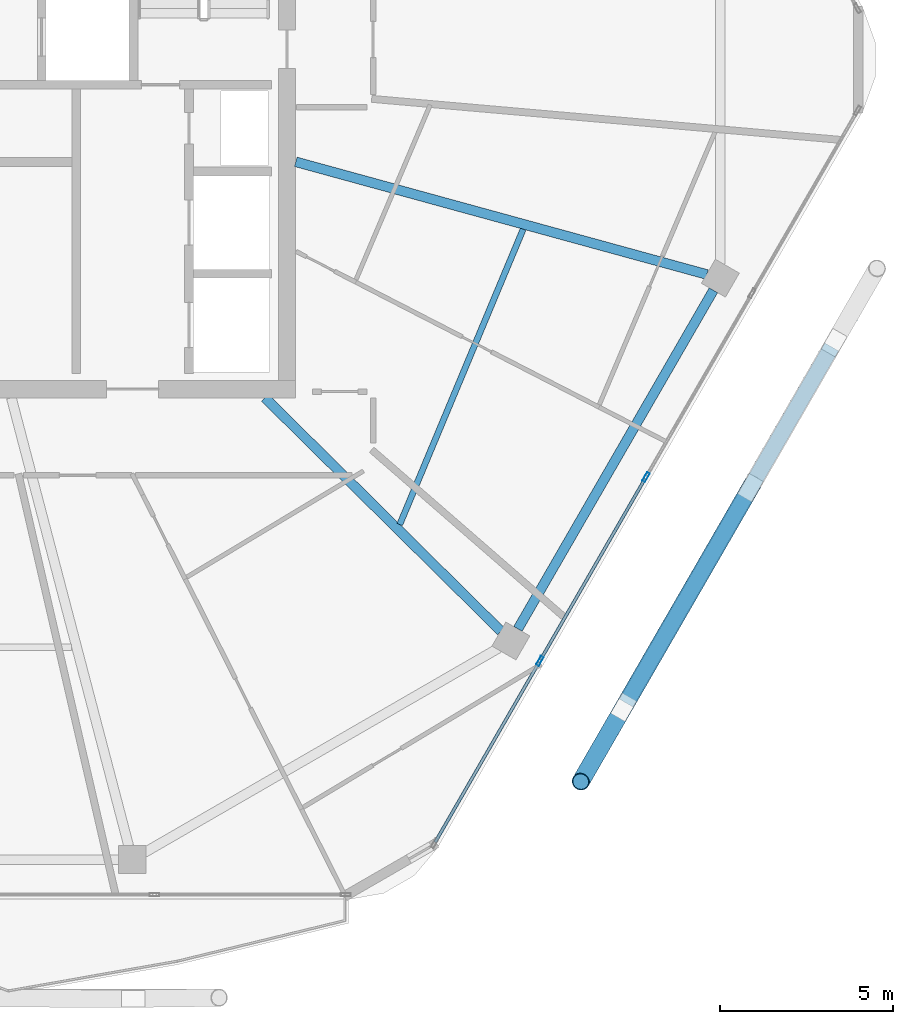
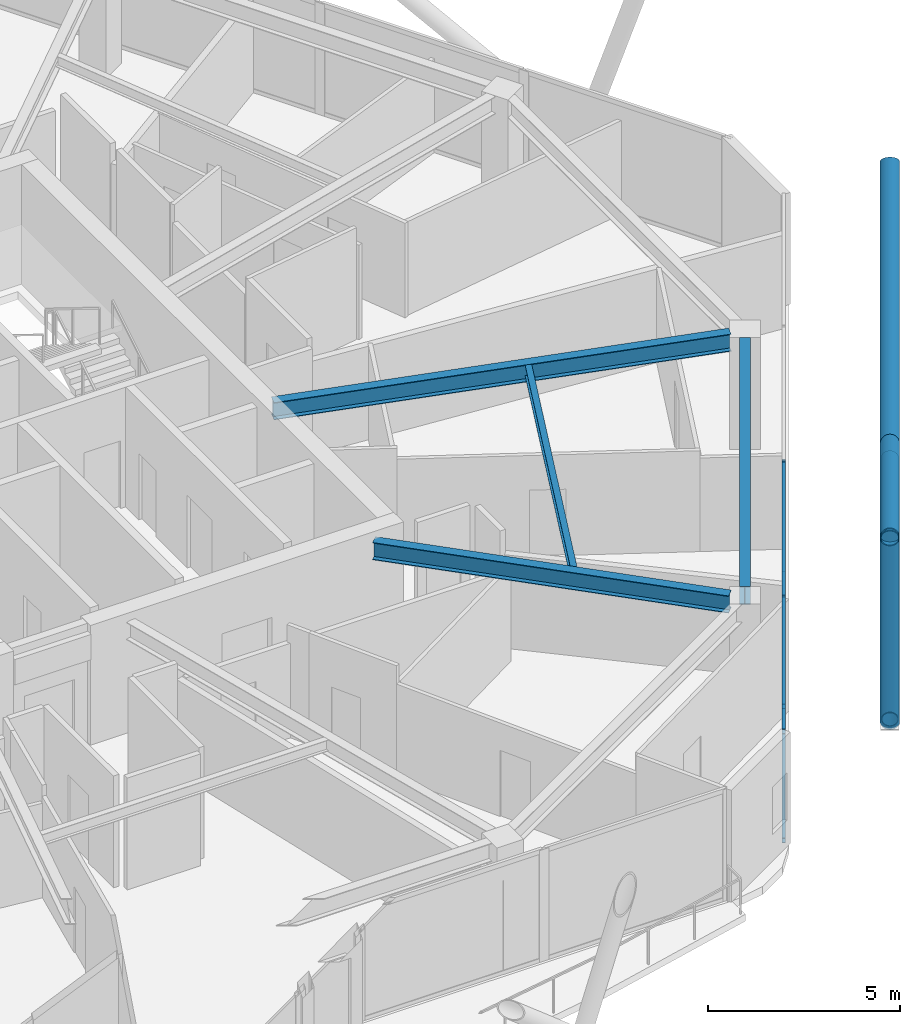
# One storey, part 8 of 23: 10 members, 4 beams, 1 element without a shape of its own.
"""IFC4 building model written with IfcOpenShell, lengths in metres."""

from ifc_helpers import new_model, si_unit, direction, frame, origin, origin_2d, place, context, subcontext, project, spatial, hollow_rectangle, hollow_circle, i_section, extrude, material, material_profile, profile_set, type_object, element, aggregate, save


model = new_model("IFC4")

# Units and contexts
model_context = context("Model", 3, precision=1e-05, world=origin(), true_north=direction((0.0, 1.0)))
body_context = subcontext(model_context, "Body", "Model", "MODEL_VIEW")
ifc_project = project(units=[si_unit("LENGTHUNIT", "METRE"), si_unit("AREAUNIT", "SQUARE_METRE"), si_unit("VOLUMEUNIT", "CUBIC_METRE"), si_unit("PLANEANGLEUNIT", "RADIAN"), si_unit("MASSUNIT", "GRAM", prefix="KILO")], contexts=[model_context])

# Site, building, storey
site_placement = place(None, origin())
site = spatial("IfcSite", under=ifc_project, at=site_placement, CompositionType="ELEMENT")
building_placement = place(site_placement, origin())
building = spatial("IfcBuilding", under=site, at=building_placement, Name="Zuhravey Tower", CompositionType="ELEMENT")
storey_placement = place(building_placement, frame((0.0, 0.0, 323.39990234375)))
storey = spatial("IfcBuildingStorey", under=building, at=storey_placement, Name="L82", CompositionType="ELEMENT", Elevation=323.39990234375)

# Curtain wall, members
ifc_material_1 = material(Name="Thermally broken anodised aluminium", Category="aluminium")
curtain_wall_type = type_object("IfcCurtainWallType", Name="Zone 3-4 High-Rise Curtain Wall CW4", PredefinedType="NOTDEFINED", material=ifc_material_1)
curtain_wall_placement = place(storey_placement, origin())
curtain_wall = element("IfcCurtainWall", 1, at=curtain_wall_placement, inside=storey, type_object=curtain_wall_type, Name="L82 CW4 CW-L82-F6-1", PredefinedType="NOTDEFINED")
ifc_material_2 = material(Name="Anodised aluminium", Category="aluminium")
ifc_material_profile_1 = material_profile(ifc_material_2, hollow_rectangle(XDim=0.090087890625, YDim=0.284912109375, WallThickness=0.0048828125, at=origin_2d()), Name="ALU-RHS-90x285x5")
ifc_profile_set_1 = profile_set([ifc_material_profile_1], Name="Anodised aluminium")
member_type_1 = type_object("IfcMemberType", Name="Curtain-Wall Mullion 90x180", PredefinedType="MULLION", material=ifc_profile_set_1)
member_1_placement = place(storey_placement, frame((56.8486328125, 19.962890625, 0.0), z_axis=(0.0, 0.0, 1.0), x_axis=(0.866025511541, -0.49999981336, 0.0)))
member_1 = element("IfcMember", 2, at=member_1_placement, type_object=member_type_1, Name="CW4 mullion 3", PredefinedType="MULLION", context=body_context, shape_type="SweptSolid", body=[
    extrude(hollow_rectangle(XDim=0.090087890625, YDim=0.284912109375, WallThickness=0.0048828125, at=origin_2d()), origin(), (0.0, 0.0, 1.0), 3.550048828125),
])
member_2_placement = place(storey_placement, frame((53.788818359375, 14.6630859375, 0.0), z_axis=(0.0, 0.0, 1.0), x_axis=(0.866025511541, -0.49999981336, 0.0)))
member_2 = element("IfcMember", 3, at=member_2_placement, type_object=member_type_1, Name="CW4 mullion 4", PredefinedType="MULLION", context=body_context, shape_type="SweptSolid", body=[
    extrude(hollow_rectangle(XDim=0.090087890625, YDim=0.284912109375, WallThickness=0.0048828125, at=origin_2d()), origin(), (0.0, 0.0, 1.0), 3.550048828125),
])
ifc_material_profile_2 = material_profile(ifc_material_2, hollow_rectangle(XDim=0.090087890625, YDim=0.14990234375, WallThickness=0.0048828125, at=origin_2d()), Name="ALU-RHS-90x150x5")
ifc_profile_set_2 = profile_set([ifc_material_profile_2], Name="Anodised aluminium")
member_type_2 = type_object("IfcMemberType", Name="Curtain-Wall Transom 90x150", PredefinedType="USERDEFINED", material=ifc_profile_set_2)
member_3_placement = place(storey_placement, frame((56.826171875, 19.924072265625, 0.045166015625), z_axis=(-0.499971305196, -0.866041970103, 0.0), x_axis=(0.866041970103, -0.499971305196, 0.0)))
member_3 = element("IfcMember", 4, at=member_3_placement, type_object=member_type_2, Name="CW4 transom 3.1", ObjectType="TRANSOM", PredefinedType="USERDEFINED", context=body_context, shape_type="SweptSolid", body=[
    extrude(hollow_rectangle(XDim=0.090087890625, YDim=0.14990234375, WallThickness=0.0048828125, at=origin_2d()), origin(), (0.0, 0.0, 1.0), 6.029541015625),
])
member_4_placement = place(storey_placement, frame((56.826171875, 19.924072265625, 3.505126953125), z_axis=(-0.499971305196, -0.866041970103, 0.0), x_axis=(0.866041970103, -0.499971305196, 0.0)))
member_4 = element("IfcMember", 5, at=member_4_placement, type_object=member_type_2, Name="CW4 transom 3.2", ObjectType="TRANSOM", PredefinedType="USERDEFINED", context=body_context, shape_type="SweptSolid", body=[
    extrude(hollow_rectangle(XDim=0.090087890625, YDim=0.14990234375, WallThickness=0.0048828125, at=origin_2d()), origin(), (0.0, 0.0, 1.0), 6.029541015625),
])
member_5_placement = place(storey_placement, frame((53.766357421875, 14.624267578125, 0.045166015625), z_axis=(-0.499982594807, -0.866035452444, 0.0), x_axis=(0.866035452444, -0.499982594807, 0.0)))
member_5 = element("IfcMember", 6, at=member_5_placement, type_object=member_type_2, Name="CW4 transom 4.1", ObjectType="TRANSOM", PredefinedType="USERDEFINED", context=body_context, shape_type="SweptSolid", body=[
    extrude(hollow_rectangle(XDim=0.090087890625, YDim=0.14990234375, WallThickness=0.0048828125, at=origin_2d()), origin(), (0.0, 0.0, 1.0), 5.984619140625),
])
member_6_placement = place(storey_placement, frame((53.766357421875, 14.624267578125, 3.505126953125), z_axis=(-0.499982594807, -0.866035452444, 0.0), x_axis=(0.866035452444, -0.499982594807, 0.0)))
member_6 = element("IfcMember", 7, at=member_6_placement, type_object=member_type_2, Name="CW4 transom 4.2", ObjectType="TRANSOM", PredefinedType="USERDEFINED", context=body_context, shape_type="SweptSolid", body=[
    extrude(hollow_rectangle(XDim=0.090087890625, YDim=0.14990234375, WallThickness=0.0048828125, at=origin_2d()), origin(), (0.0, 0.0, 1.0), 5.984619140625),
])
aggregate(curtain_wall, [member_1, member_2, member_3, member_4, member_5, member_6])

# Members
ifc_material_3 = material(Name="Steel SM355", Category="steel")
ifc_material_profile_3 = material_profile(ifc_material_3, hollow_circle(Radius=0.228515625, WallThickness=0.02197265625, at=origin_2d()), Name="CHS-457.2x22")
ifc_profile_set_3 = profile_set([ifc_material_profile_3], Name="Steel SM355")
member_type_3 = type_object("IfcMemberType", Name="Exoskeleton Ring Tie CHS457x22", PredefinedType="CHORD", material=ifc_profile_set_3)
member_7_placement = place(storey_placement, frame((56.275390625, 13.44970703125, -0.4638671875), z_axis=(0.499988670204, 0.866031944946, 0.0), x_axis=(-0.866031944946, 0.499988670204, 0.0)))
element("IfcMember", 8, at=member_7_placement, inside=storey, type_object=member_type_3, Name="L82 Exoskeleton Face 6 Tie EXR1", PredefinedType="CHORD", context=body_context, shape_type="SweptSolid", body=[
    extrude(hollow_circle(Radius=0.228515625, WallThickness=0.02197265625, at=origin_2d()), origin(), (0.0, 0.0, 1.0), 11.854736328125),
])
ifc_material_profile_4 = material_profile(ifc_material_3, hollow_circle(Radius=0.25390625, WallThickness=0.02490234375, at=origin_2d()), Name="CHS-508.0x25")
ifc_profile_set_4 = profile_set([ifc_material_profile_4], Name="Steel SM355")
member_type_4 = type_object("IfcMemberType", Name="Exoskeleton Zone 4 Diagrid CHS508x25", PredefinedType="BRACE", material=ifc_profile_set_4)
member_8_placement = place(storey_placement, frame((56.20263671875, 13.323974609375, -0.447998046875), z_axis=(-0.155226445416, -0.268871093126, 0.950585654176), x_axis=(0.866034263809, -0.499984653673, 0.0)))
element("IfcMember", 9, at=member_8_placement, inside=storey, type_object=member_type_4, Name="L82 Face 6 Diagrid Brace 1", PredefinedType="BRACE", context=body_context, shape_type="SweptSolid", body=[
    extrude(hollow_circle(Radius=0.25390625, WallThickness=0.02490234375, at=origin_2d()), origin(), (0.0, 0.0, 1.0), 7.96142578125),
])
member_9_placement = place(storey_placement, frame((56.220703125, 13.35498046875, -0.447998046875), z_axis=(0.443609006774, 0.768372647113, 0.461318246201), x_axis=(-0.866030844425, 0.499990576415, 0.0)))
element("IfcMember", 10, at=member_9_placement, inside=storey, type_object=member_type_4, Name="L82 Face 6 Diagrid Brace 2", PredefinedType="BRACE", context=body_context, shape_type="SweptSolid", body=[
    extrude(hollow_circle(Radius=0.25390625, WallThickness=0.02490234375, at=origin_2d()), origin(), (0.0, 0.0, 1.0), 16.405517578125),
])
member_10_placement = place(storey_placement, frame((59.745849609375, 19.460693359375, 3.42431640625), z_axis=(-0.466120096099, -0.80734608376, 0.36183470957), x_axis=(0.866026046022, -0.49999888761, 0.0)))
element("IfcMember", 11, at=member_10_placement, inside=storey, type_object=member_type_4, Name="L82 Face 6 Split Diagrid Brace 3B", PredefinedType="BRACE", context=body_context, shape_type="SweptSolid", body=[
    extrude(hollow_circle(Radius=0.25390625, WallThickness=0.02490234375, at=origin_2d()), origin(), (0.0, 0.0, 1.0), 10.223388671875),
])

# Beams
ifc_material_profile_5 = material_profile(ifc_material_3, i_section(OverallWidth=0.280029296875, OverallDepth=0.580078125, WebThickness=0.011962890625, FlangeThickness=0.01904296875, at=origin_2d()), Name="H-580x280x12x19")
ifc_profile_set_5 = profile_set([ifc_material_profile_5], Name="Steel SM355")
beam_type_1 = type_object("IfcBeamType", Name="Perimeter Ring Beam H580x280", PredefinedType="BEAM", material=ifc_profile_set_5)
beam_1_placement = place(storey_placement, frame((53.15625, 15.58740234375, 3.260009765625), z_axis=(0.500006198144, 0.866021825255, 0.0), x_axis=(-0.866021825255, 0.500006198144, 0.0)))
element("IfcBeam", 12, at=beam_1_placement, inside=storey, type_object=beam_type_1, Name="L82 PB4 BM-L82-PB-11", PredefinedType="BEAM", context=body_context, shape_type="SweptSolid", body=[
    extrude(i_section(OverallWidth=0.280029296875, OverallDepth=0.580078125, WebThickness=0.011962890625, FlangeThickness=0.01904296875, at=origin_2d()), origin(), (0.0, 0.0, 1.0), 11.271240234375),
])
ifc_material_profile_6 = material_profile(ifc_material_3, i_section(OverallWidth=0.280029296875, OverallDepth=0.550048828125, WebThickness=0.010986328125, FlangeThickness=0.01806640625, at=origin_2d()), Name="H-550x280x11x18")
ifc_profile_set_6 = profile_set([ifc_material_profile_6], Name="Steel SM355")
beam_type_2 = type_object("IfcBeamType", Name="Radial Primary Girder H550x280", PredefinedType="BEAM", material=ifc_profile_set_6)
beam_2_placement = place(storey_placement, frame((45.865234375, 22.2470703125, 3.275146484375), z_axis=(0.711153035666, -0.703037239314, 0.0), x_axis=(0.703037239314, 0.711153035666, 0.0)))
element("IfcBeam", 13, at=beam_2_placement, inside=storey, type_object=beam_type_2, Name="L82 RG4 BM-L82-RAD-11", PredefinedType="BEAM", context=body_context, shape_type="SweptSolid", body=[
    extrude(i_section(OverallWidth=0.280029296875, OverallDepth=0.550048828125, WebThickness=0.010986328125, FlangeThickness=0.01806640625, at=origin_2d()), origin(), (0.0, 0.0, 1.0), 9.566162109375),
])
beam_3_placement = place(storey_placement, frame((46.7529296875, 29.052734375, 3.275146484375), z_axis=(0.964427903067, -0.264346022829, 0.0), x_axis=(0.264346022829, 0.964427903067, 0.0)))
element("IfcBeam", 14, at=beam_3_placement, inside=storey, type_object=beam_type_2, Name="L82 RG4 BM-L82-RAD-12", PredefinedType="BEAM", context=body_context, shape_type="SweptSolid", body=[
    extrude(i_section(OverallWidth=0.280029296875, OverallDepth=0.550048828125, WebThickness=0.010986328125, FlangeThickness=0.01806640625, at=origin_2d()), origin(), (0.0, 0.0, 1.0), 12.2890625),
])
ifc_material_profile_7 = material_profile(ifc_material_3, i_section(OverallWidth=0.175048828125, OverallDepth=0.35009765625, WebThickness=0.007080078125, FlangeThickness=0.010986328125, at=origin_2d()), Name="H-350x175x7x11")
ifc_profile_set_7 = profile_set([ifc_material_profile_7], Name="Steel SM355")
beam_type_3 = type_object("IfcBeamType", Name="Secondary Floor Joist H350x175", PredefinedType="JOIST", material=ifc_profile_set_7)
beam_4_placement = place(storey_placement, frame((49.7490234375, 18.59521484375, 3.375), z_axis=(0.385657891576, 0.922641853953, 0.0), x_axis=(-0.922641853953, 0.385657891576, 0.0)))
element("IfcBeam", 15, at=beam_4_placement, inside=storey, type_object=beam_type_3, Name="L82 SJ3 BM-L82-SJ-11-1", PredefinedType="JOIST", context=body_context, shape_type="SweptSolid", body=[
    extrude(i_section(OverallWidth=0.175048828125, OverallDepth=0.35009765625, WebThickness=0.007080078125, FlangeThickness=0.010986328125, at=origin_2d()), origin(), (0.0, 0.0, 1.0), 9.226806640625),
])

save(model, "model.ifc")
